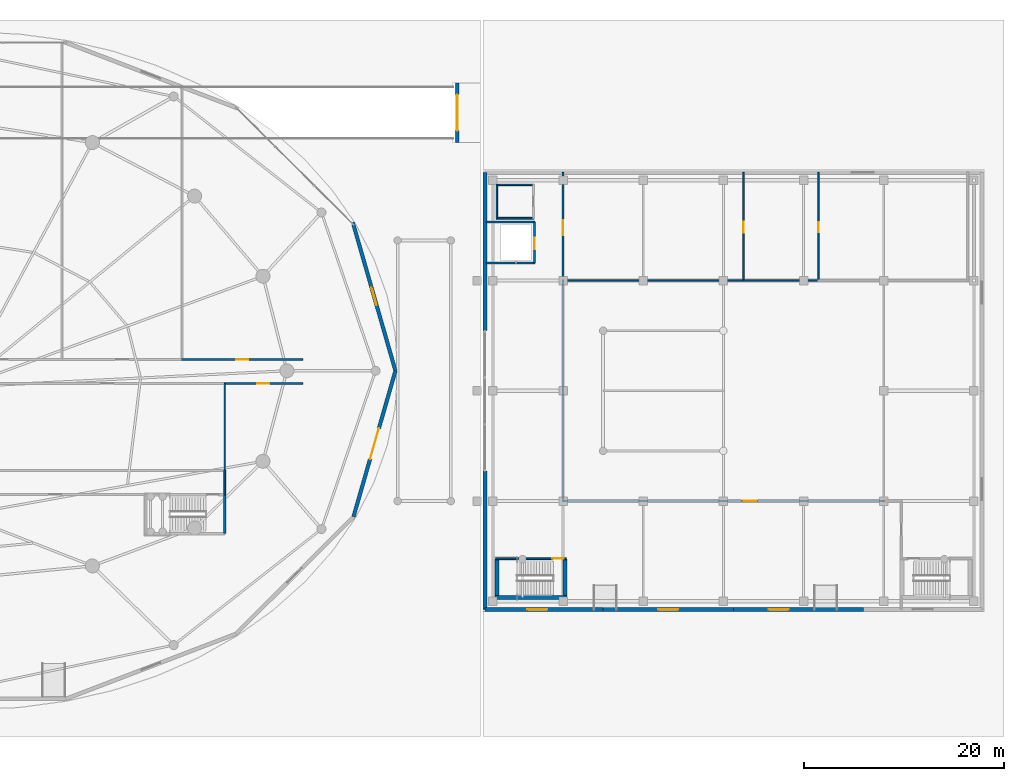
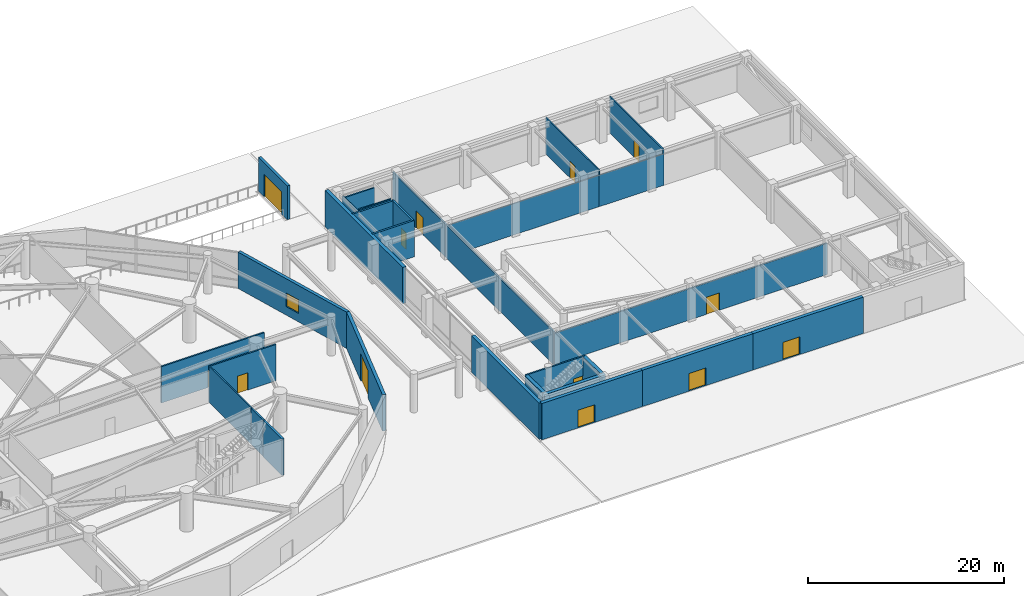
# One storey, part 25 of 35: 30 walls, 13 doors, 1 window, 14 openings.
"""IFC4 building model written with IfcOpenShell, lengths in metres."""

from ifc_helpers import new_model, si_unit, direction, frame, frame_2d, origin, place, context, subcontext, project, spatial, rectangle, extrude, material, layer, layer_set, type_object, element, fill, save


model = new_model("IFC4")

# Units and contexts
model_context = context("Model", 3, precision=1e-05, world=origin(), true_north=direction((0.0, 1.0)))
body_context = subcontext(model_context, "Body", "Model", "MODEL_VIEW")
ifc_project = project(units=[si_unit("LENGTHUNIT", "METRE"), si_unit("AREAUNIT", "SQUARE_METRE"), si_unit("VOLUMEUNIT", "CUBIC_METRE"), si_unit("PLANEANGLEUNIT", "RADIAN"), si_unit("MASSUNIT", "GRAM", prefix="KILO")], contexts=[model_context])

# Site, building, storey
site_placement = place(None, origin())
site = spatial("IfcSite", under=ifc_project, at=site_placement, CompositionType="ELEMENT")
building_placement = place(site_placement, origin())
building = spatial("IfcBuilding", under=site, at=building_placement, Name="Kazevale Care Tower and Concert Hall", CompositionType="ELEMENT")
storey_placement = place(building_placement, origin())
storey = spatial("IfcBuildingStorey", under=building, at=storey_placement, Name="L00", CompositionType="ELEMENT", Elevation=0.0)

# Walls
ifc_material_1 = material(Name="Acoustic Gypsum on Steel Stud", Category="steel")
ifc_layer_1 = layer(ifc_material_1, 0.139892578125)
ifc_layer_set_1 = layer_set([ifc_layer_1], Name="Acoustic Gypsum on Steel Stud")
wall_type_1 = type_object("IfcWallType", Name="Acoustic Care & Suite Partition 140", PredefinedType="PARTITIONING", material=ifc_layer_set_1)
wall_1_placement = place(storey_placement, frame((70.25, 36.7548828125, 0.0), z_axis=(0.0, 0.0, 1.0), x_axis=(0.0, -1.0, 0.0)))
element("IfcWall", 1, at=wall_1_placement, inside=storey, type_object=wall_type_1, Name="wall:L00:auto_025", PredefinedType="PARTITIONING", context=body_context, shape_type="SweptSolid", body=[
    extrude(rectangle(XDim=8.73486328125, YDim=0.139892578125, at=frame_2d((4.367431640625, 0.0))), origin(), (0.0, 0.0, 1.0), 4.52001953125),
])
wall_2_placement = place(storey_placement, frame((103.969970703125, 47.0, 0.0), z_axis=(0.0, 0.0, 1.0), x_axis=(1.0, 0.0, 0.0)))
element("IfcWall", 2, at=wall_2_placement, inside=storey, type_object=wall_type_1, Name="wall:L00:auto_034", PredefinedType="PARTITIONING", context=body_context, shape_type="SweptSolid", body=[
    extrude(rectangle(XDim=18.094970703125, YDim=0.139892578125, at=frame_2d((9.04736328125, 0.0))), origin(), (0.0, 0.0, 1.0), 3.89892578125),
])
wall_3_placement = place(storey_placement, frame((121.93505859375, 47.0, 0.0), z_axis=(0.0, 0.0, 1.0), x_axis=(1.0, 0.0, 0.0)))
element("IfcWall", 3, at=wall_3_placement, inside=storey, type_object=wall_type_1, Name="wall:L00:auto_035", PredefinedType="PARTITIONING", context=body_context, shape_type="SweptSolid", body=[
    extrude(rectangle(XDim=7.6298828125, YDim=0.139892578125, at=frame_2d((3.81494140625, 0.0))), origin(), (0.0, 0.0, 1.0), 3.89892578125),
])

# Wall, opening, door
wall_4_placement = place(storey_placement, frame((122.0, 57.7900390625, 0.0), z_axis=(0.0, 0.0, 1.0), x_axis=(0.0, -1.0, 0.0)))
wall_4 = element("IfcWall", 4, at=wall_4_placement, inside=storey, type_object=wall_type_1, Name="wall:L00:auto_038", PredefinedType="PARTITIONING", context=body_context, shape_type="SweptSolid", body=[
    extrude(rectangle(XDim=10.820068359375, YDim=0.139892578125, at=frame_2d((5.41015625, 0.0))), origin(), (0.0, 0.0, 1.0), 4.52001953125),
])
opening_1_placement = place(wall_4_placement, frame((4.9150390625, 0.0, 0.0)))
opening_1 = element("IfcOpeningElement", 5, at=opening_1_placement, cuts=wall_4, Name="Opening ID-1100", PredefinedType="OPENING", context=body_context, shape_type="SweptSolid", body=[
    extrude(rectangle(XDim=1.10009765625, YDim=2.10009765625, at=frame_2d((0.550048828125, 1.050048828125))), frame((0.0, 0.079833984375, 0.0), z_axis=(0.0, -1.0, 0.0), x_axis=(1.0, 0.0, 0.0)), (0.0, 0.0, 1.0), 0.159912109375),
])
ifc_material_2 = material(Name="Oak Timber Fire Leaf", Category="wood")
door_type_1 = type_object("IfcDoorType", Name="Care Bedroom Accessible Door 1100x2100", OperationType="NOTDEFINED", PredefinedType="DOOR", material=ifc_material_2)
door_1_placement = place(opening_1_placement, origin())
door_1 = element("IfcDoor", 6, at=door_1_placement, inside=storey, type_object=door_type_1, Name="door:L00:ad_038", OperationType="SINGLE_SWING_LEFT", OverallHeight=2.10009765625, OverallWidth=1.10009765625, PredefinedType="DOOR", context=body_context, shape_type="SweptSolid", body=[
    extrude(rectangle(XDim=1.10009765625, YDim=2.10009765625, at=frame_2d((0.550048828125, 1.050048828125))), frame((0.0, 0.02490234375, 0.0), z_axis=(0.0, -1.0, 0.0), x_axis=(1.0, 0.0, 0.0)), (0.0, 0.0, 1.0), 0.050048828125),
])
fill(opening_1, door_1)

wall_5_placement = place(storey_placement, frame((129.5, 57.7900390625, 0.0), z_axis=(0.0, 0.0, 1.0), x_axis=(0.0, -1.0, 0.0)))
wall_5 = element("IfcWall", 7, at=wall_5_placement, inside=storey, type_object=wall_type_1, Name="wall:L00:auto_039", PredefinedType="PARTITIONING", context=body_context, shape_type="SweptSolid", body=[
    extrude(rectangle(XDim=10.820068359375, YDim=0.139892578125, at=frame_2d((5.41015625, 0.0))), origin(), (0.0, 0.0, 1.0), 4.52001953125),
])
opening_2_placement = place(wall_5_placement, frame((4.965087890625, 0.0, 0.0)))
opening_2 = element("IfcOpeningElement", 8, at=opening_2_placement, cuts=wall_5, Name="Opening ID-1000", PredefinedType="OPENING", context=body_context, shape_type="SweptSolid", body=[
    extrude(rectangle(XDim=1.0, YDim=2.10009765625, at=frame_2d((0.5, 1.050048828125))), frame((0.0, 0.079833984375, 0.0), z_axis=(0.0, -1.0, 0.0), x_axis=(1.0, 0.0, 0.0)), (0.0, 0.0, 1.0), 0.159912109375),
])
door_type_2 = type_object("IfcDoorType", Name="Suite & Room Door 1000x2100", OperationType="NOTDEFINED", PredefinedType="DOOR", material=ifc_material_2)
door_2_placement = place(opening_2_placement, origin())
door_2 = element("IfcDoor", 9, at=door_2_placement, inside=storey, type_object=door_type_2, Name="door:L00:ad_039", OperationType="SINGLE_SWING_LEFT", OverallHeight=2.10009765625, OverallWidth=1.0, PredefinedType="DOOR", context=body_context, shape_type="SweptSolid", body=[
    extrude(rectangle(XDim=1.0, YDim=2.10009765625, at=frame_2d((0.5, 1.050048828125))), frame((0.0, 0.02490234375, 0.0), z_axis=(0.0, -1.0, 0.0), x_axis=(1.0, 0.0, 0.0)), (0.0, 0.0, 1.0), 0.050048828125),
])
fill(opening_2, door_2)

ifc_material_3 = material(Name="Concrete C40 with Honed Limestone Cladding", Category="masonry")
ifc_layer_2 = layer(ifc_material_3, 0.39990234375)
ifc_layer_set_2 = layer_set([ifc_layer_2], Name="Concrete C40 with Honed Limestone Cladding")
wall_type_2 = type_object("IfcWallType", Name="Concert Hall Acoustic Limestone Wall 400", PredefinedType="STANDARD", material=ifc_layer_set_2)
wall_6_placement = place(storey_placement, frame((108.0, 14.199951171875, 0.0), z_axis=(0.0, 0.0, 1.0), x_axis=(-1.0, 0.0, 0.0)))
wall_6 = element("IfcWall", 10, at=wall_6_placement, inside=storey, type_object=wall_type_2, Name="wall:L00:hallew:S1", PredefinedType="STANDARD", context=body_context, shape_type="SweptSolid", body=[
    extrude(rectangle(XDim=11.800048828125, YDim=0.39990234375, at=frame_2d((5.89990234375, 0.0))), origin(), (0.0, 0.0, 1.0), 4.52001953125),
])
opening_3_placement = place(wall_6_placement, frame((5.56005859375, 0.0, 0.0)))
opening_3 = element("IfcOpeningElement", 11, at=opening_3_placement, cuts=wall_6, Name="Opening ED-2000", PredefinedType="OPENING", context=body_context, shape_type="SweptSolid", body=[
    extrude(rectangle(XDim=2.0, YDim=2.199951171875, at=frame_2d((1.0, 1.10009765625))), frame((0.0, 0.2099609375, 0.0), z_axis=(0.0, -1.0, 0.0), x_axis=(1.0, 0.0, 0.0)), (0.0, 0.0, 1.0), 0.419921875),
])
ifc_material_4 = material(Name="Aluminium 6063-T6 and Low-E Glass", Category="aluminium")
door_type_3 = type_object("IfcDoorType", Name="Ground Final Exit Double Door 2000x2200", OperationType="NOTDEFINED", PredefinedType="DOOR", material=ifc_material_4)
door_3_placement = place(opening_3_placement, origin())
door_3 = element("IfcDoor", 12, at=door_3_placement, inside=storey, type_object=door_type_3, Name="door:L00:ED-05", OperationType="DOUBLE_DOOR_SINGLE_SWING", OverallHeight=2.199951171875, OverallWidth=2.0, PredefinedType="DOOR", context=body_context, shape_type="SweptSolid", body=[
    extrude(rectangle(XDim=2.0, YDim=2.199951171875, at=frame_2d((1.0, 1.10009765625))), frame((0.0, 0.02490234375, 0.0), z_axis=(0.0, -1.0, 0.0), x_axis=(1.0, 0.0, 0.0)), (0.0, 0.0, 1.0), 0.050048828125),
])
fill(opening_3, door_3)

wall_7_placement = place(storey_placement, frame((121.0, 14.199951171875, 0.0), z_axis=(0.0, 0.0, 1.0), x_axis=(-1.0, 0.0, 0.0)))
wall_7 = element("IfcWall", 13, at=wall_7_placement, inside=storey, type_object=wall_type_2, Name="wall:L00:hallew:S2", PredefinedType="STANDARD", context=body_context, shape_type="SweptSolid", body=[
    extrude(rectangle(XDim=13.0, YDim=0.39990234375, at=frame_2d((6.5, 0.0))), origin(), (0.0, 0.0, 1.0), 4.52001953125),
])
opening_4_placement = place(wall_7_placement, frame((5.5, 0.0, 0.0)))
opening_4 = element("IfcOpeningElement", 14, at=opening_4_placement, cuts=wall_7, Name="Opening ED-2000", PredefinedType="OPENING", context=body_context, shape_type="SweptSolid", body=[
    extrude(rectangle(XDim=2.0, YDim=2.199951171875, at=frame_2d((1.0, 1.10009765625))), frame((0.0, 0.2099609375, 0.0), z_axis=(0.0, -1.0, 0.0), x_axis=(1.0, 0.0, 0.0)), (0.0, 0.0, 1.0), 0.419921875),
])
door_4_placement = place(opening_4_placement, origin())
door_4 = element("IfcDoor", 15, at=door_4_placement, inside=storey, type_object=door_type_3, Name="door:L00:ED-06", OperationType="DOUBLE_DOOR_SINGLE_SWING", OverallHeight=2.199951171875, OverallWidth=2.0, PredefinedType="DOOR", context=body_context, shape_type="SweptSolid", body=[
    extrude(rectangle(XDim=2.0, YDim=2.199951171875, at=frame_2d((1.0, 1.10009765625))), frame((0.0, 0.02490234375, 0.0), z_axis=(0.0, -1.0, 0.0), x_axis=(1.0, 0.0, 0.0)), (0.0, 0.0, 1.0), 0.050048828125),
])
fill(opening_4, door_4)

wall_8_placement = place(storey_placement, frame((134.0, 14.199951171875, 0.0), z_axis=(0.0, 0.0, 1.0), x_axis=(-1.0, 0.0, 0.0)))
wall_8 = element("IfcWall", 16, at=wall_8_placement, inside=storey, type_object=wall_type_2, Name="wall:L00:hallew:S3", PredefinedType="STANDARD", context=body_context, shape_type="SweptSolid", body=[
    extrude(rectangle(XDim=13.0, YDim=0.39990234375, at=frame_2d((6.5, 0.0))), origin(), (0.0, 0.0, 1.0), 4.52001953125),
])
opening_5_placement = place(wall_8_placement, frame((7.47998046875, 0.0, 0.0)))
opening_5 = element("IfcOpeningElement", 17, at=opening_5_placement, cuts=wall_8, Name="Opening ED-2000", PredefinedType="OPENING", context=body_context, shape_type="SweptSolid", body=[
    extrude(rectangle(XDim=2.0, YDim=2.199951171875, at=frame_2d((1.0, 1.10009765625))), frame((0.0, 0.2099609375, 0.0), z_axis=(0.0, -1.0, 0.0), x_axis=(1.0, 0.0, 0.0)), (0.0, 0.0, 1.0), 0.419921875),
])
door_5_placement = place(opening_5_placement, origin())
door_5 = element("IfcDoor", 18, at=door_5_placement, inside=storey, type_object=door_type_3, Name="door:L00:ED-07", OperationType="DOUBLE_DOOR_SINGLE_SWING", OverallHeight=2.199951171875, OverallWidth=2.0, PredefinedType="DOOR", context=body_context, shape_type="SweptSolid", body=[
    extrude(rectangle(XDim=2.0, YDim=2.199951171875, at=frame_2d((1.0, 1.10009765625))), frame((0.0, 0.02490234375, 0.0), z_axis=(0.0, -1.0, 0.0), x_axis=(1.0, 0.0, 0.0)), (0.0, 0.0, 1.0), 0.050048828125),
])
fill(opening_5, door_5)

wall_9_placement = place(storey_placement, frame((93.449951171875, 60.800048828125, 0.0), z_axis=(0.0, 0.0, 1.0), x_axis=(0.0, 1.0, 0.0)))
wall_9 = element("IfcWall", 19, at=wall_9_placement, inside=storey, type_object=wall_type_2, Name="wall:L00:ramp_portal", PredefinedType="STANDARD", context=body_context, shape_type="SweptSolid", body=[
    extrude(rectangle(XDim=5.89990234375, YDim=0.320068359375, at=frame_2d((2.949951171875, 0.0))), origin(), (0.0, 0.0, 1.0), 4.199951171875),
])
opening_6_placement = place(wall_9_placement, frame((1.14990234375, 0.0, 0.0)))
opening_6 = element("IfcOpeningElement", 20, at=opening_6_placement, cuts=wall_9, Name="Opening VD-3600", PredefinedType="OPENING", context=body_context, shape_type="SweptSolid", body=[
    extrude(rectangle(XDim=3.60009765625, YDim=2.800048828125, at=frame_2d((1.800048828125, 1.39990234375))), frame((0.0, 0.169921875, 0.0), z_axis=(0.0, -1.0, 0.0), x_axis=(1.0, 0.0, 0.0)), (0.0, 0.0, 1.0), 0.340087890625),
])
ifc_material_5 = material(Name="Steel ASTM A572 Gr 50", Category="steel")
door_type_4 = type_object("IfcDoorType", Name="Basement Ramp Vehicle Shutter 3600x2800", OperationType="NOTDEFINED", PredefinedType="GATE", material=ifc_material_5)
door_6_placement = place(opening_6_placement, origin())
door_6 = element("IfcDoor", 21, at=door_6_placement, inside=storey, type_object=door_type_4, Name="door:L00:VD-01", OperationType="ROLLINGUP", OverallHeight=2.800048828125, OverallWidth=3.60009765625, PredefinedType="GATE", context=body_context, shape_type="SweptSolid", body=[
    extrude(rectangle(XDim=3.60009765625, YDim=2.800048828125, at=frame_2d((1.800048828125, 1.39990234375))), frame((0.0, 0.02490234375, 0.0), z_axis=(0.0, -1.0, 0.0), x_axis=(1.0, 0.0, 0.0)), (0.0, 0.0, 1.0), 0.050048828125),
])
fill(opening_6, door_6)

# Walls
wall_10_placement = place(storey_placement, frame((96.199951171875, 57.800048828125, 0.0), z_axis=(0.0, 0.0, 1.0), x_axis=(0.0, -1.0, 0.0)))
element("IfcWall", 22, at=wall_10_placement, inside=storey, type_object=wall_type_2, Name="wall:L00:hallew:W1", PredefinedType="STANDARD", context=body_context, shape_type="SweptSolid", body=[
    extrude(rectangle(XDim=15.800048828125, YDim=0.39990234375, at=frame_2d((7.89990234375, 0.0))), origin(), (0.0, 0.0, 1.0), 4.52001953125),
])
wall_11_placement = place(storey_placement, frame((96.199951171875, 28.0, 0.0), z_axis=(0.0, 0.0, 1.0), x_axis=(0.0, -1.0, 0.0)))
element("IfcWall", 23, at=wall_11_placement, inside=storey, type_object=wall_type_2, Name="wall:L00:hallew:W3", PredefinedType="STANDARD", context=body_context, shape_type="SweptSolid", body=[
    extrude(rectangle(XDim=13.800048828125, YDim=0.39990234375, at=frame_2d((6.89990234375, 0.0))), origin(), (0.0, 0.0, 1.0), 4.52001953125),
])
ifc_material_6 = material(Name="Concrete C50", Category="concrete")
ifc_layer_3 = layer(ifc_material_6, 0.39990234375)
ifc_layer_set_3 = layer_set([ifc_layer_3], Name="Concrete C50")
wall_type_3 = type_object("IfcWallType", Name="Concert Hall Shear Core Wall 400 C50", PredefinedType="SHEAR", material=ifc_layer_set_3)
wall_12_placement = place(storey_placement, frame((97.199951171875, 15.39990234375, 0.0), z_axis=(0.0, 0.0, 1.0), x_axis=(1.0, 0.0, 0.0)))
element("IfcWall", 24, at=wall_12_placement, inside=storey, type_object=wall_type_3, Name="wall:L00:ST4:S", PredefinedType="SHEAR", context=body_context, shape_type="SweptSolid", body=[
    extrude(rectangle(XDim=7.199951171875, YDim=0.39990234375, at=frame_2d((3.60009765625, 0.0))), origin(), (0.0, 0.0, 1.0), 4.52001953125),
])
for number, where, z_axis, x_axis, name in (
    (25, (97.39990234375, 15.60009765625, 0.0), (0.0, 0.0, 1.0), (0.0, 1.0, 0.0), "wall:L00:ST4:W"),
    (26, (104.199951171875, 15.60009765625, 0.0), (0.0, 0.0, 1.0), (0.0, 1.0, 0.0), "wall:L00:ST4:E"),
):
    element("IfcWall", number, at=place(storey_placement, frame(where, z_axis=z_axis, x_axis=x_axis)), inside=storey, type_object=wall_type_3, Name=name, PredefinedType="SHEAR", context=body_context, shape_type="SweptSolid", body=[
        extrude(rectangle(XDim=3.599853515625, YDim=0.39990234375, at=frame_2d((1.7998046875, 0.0))), origin(), (0.0, 0.0, 1.0), 4.52001953125),
    ])
ifc_material_7 = material(Name="Concrete C40", Category="concrete")
ifc_layer_4 = layer(ifc_material_7, 0.219970703125)
ifc_layer_set_4 = layer_set([ifc_layer_4], Name="Concrete C40")
wall_type_4 = type_object("IfcWallType", Name="Elevator Hoistway Shaft Wall 220", PredefinedType="SOLIDWALL", material=ifc_layer_set_4)
for number, where, z_axis, x_axis, name in (
    (27, (96.300048828125, 52.85009765625, 0.0), (0.0, 0.0, 1.0), (1.0, 0.0, 0.0), "wall:L00:hall_chl_n"),
    (28, (96.300048828125, 48.75, 0.0), (0.0, 0.0, 1.0), (1.0, 0.0, 0.0), "wall:L00:hall_chl_s"),
):
    element("IfcWall", number, at=place(storey_placement, frame(where, z_axis=z_axis, x_axis=x_axis)), inside=storey, type_object=wall_type_4, Name=name, PredefinedType="SOLIDWALL", context=body_context, shape_type="SweptSolid", body=[
        extrude(rectangle(XDim=4.89990234375, YDim=0.219970703125, at=frame_2d((2.449951171875, 0.0))), origin(), (0.0, 0.0, 1.0), 4.52001953125),
    ])

# Wall, opening, door
wall_13_placement = place(storey_placement, frame((101.14990234375, 48.75, 0.0), z_axis=(0.0, 0.0, 1.0), x_axis=(0.0, 1.0, 0.0)))
wall_13 = element("IfcWall", 29, at=wall_13_placement, inside=storey, type_object=wall_type_4, Name="wall:L00:hall_chl_e", PredefinedType="SOLIDWALL", context=body_context, shape_type="SweptSolid", body=[
    extrude(rectangle(XDim=4.10009765625, YDim=0.219970703125, at=frame_2d((2.050048828125, 0.0))), origin(), (0.0, 0.0, 1.0), 4.52001953125),
])
opening_7_placement = place(wall_13_placement, frame((1.39990234375, 0.0, 0.0)))
opening_7 = element("IfcOpeningElement", 30, at=opening_7_placement, cuts=wall_13, Name="Opening LD-PAX", PredefinedType="OPENING", context=body_context, shape_type="SweptSolid", body=[
    extrude(rectangle(XDim=1.10009765625, YDim=2.10009765625, at=frame_2d((0.550048828125, 1.050048828125))), frame((0.0, 0.119873046875, 0.0), z_axis=(0.0, -1.0, 0.0), x_axis=(1.0, 0.0, 0.0)), (0.0, 0.0, 1.0), 0.239990234375),
])
ifc_material_8 = material(Name="Stainless Steel 316", Category="steel")
door_type_5 = type_object("IfcDoorType", Name="Passenger Lift Sliding Landing Door 1100x2100", OperationType="NOTDEFINED", PredefinedType="DOOR", material=ifc_material_8)
door_7_placement = place(opening_7_placement, origin())
door_7 = element("IfcDoor", 31, at=door_7_placement, inside=storey, type_object=door_type_5, Name="door:L00:ld_chl1", OperationType="SLIDING_TO_LEFT", OverallHeight=2.10009765625, OverallWidth=1.10009765625, PredefinedType="DOOR", context=body_context, shape_type="SweptSolid", body=[
    extrude(rectangle(XDim=1.10009765625, YDim=2.10009765625, at=frame_2d((0.550048828125, 1.050048828125))), frame((0.0, 0.02490234375, 0.0), z_axis=(0.0, -1.0, 0.0), x_axis=(1.0, 0.0, 0.0)), (0.0, 0.0, 1.0), 0.050048828125),
])
fill(opening_7, door_7)

ifc_material_9 = material(Name="Concrete C40 and Acoustic Gypsum", Category="concrete")
ifc_layer_5 = layer(ifc_material_9, 0.179931640625)
ifc_layer_set_5 = layer_set([ifc_layer_5], Name="Concrete C40 and Acoustic Gypsum")
wall_type_5 = type_object("IfcWallType", Name="Fire-Rated Corridor & Party Wall 180", PredefinedType="PARTITIONING", material=ifc_layer_set_5)
wall_14_placement = place(storey_placement, frame((65.93505859375, 39.125, 0.0), z_axis=(0.0, 0.0, 1.0), x_axis=(1.0, 0.0, 0.0)))
wall_14 = element("IfcWall", 32, at=wall_14_placement, inside=storey, type_object=wall_type_5, Name="wall:L00:auto_010", PredefinedType="PARTITIONING", context=body_context, shape_type="SweptSolid", body=[
    extrude(rectangle(XDim=12.094970703125, YDim=0.179931640625, at=frame_2d((6.04736328125, 0.0))), origin(), (0.0, 0.0, 1.0), 4.52001953125),
])
opening_8_placement = place(wall_14_placement, frame((5.447998046875, 0.0, 0.0)))
opening_8 = element("IfcOpeningElement", 33, at=opening_8_placement, cuts=wall_14, Name="Opening ID-1200", PredefinedType="OPENING", context=body_context, shape_type="SweptSolid", body=[
    extrude(rectangle(XDim=1.199951171875, YDim=2.14990234375, at=frame_2d((0.60009765625, 1.074951171875))), frame((0.0, 0.099853515625, 0.0), z_axis=(0.0, -1.0, 0.0), x_axis=(1.0, 0.0, 0.0)), (0.0, 0.0, 1.0), 0.199951171875),
])
door_type_6 = type_object("IfcDoorType", Name="Clinical & Therapy Door 1200x2150", OperationType="NOTDEFINED", PredefinedType="DOOR", material=ifc_material_2)
door_8_placement = place(opening_8_placement, origin())
door_8 = element("IfcDoor", 34, at=door_8_placement, inside=storey, type_object=door_type_6, Name="door:L00:ad_010", OperationType="SINGLE_SWING_LEFT", OverallHeight=2.14990234375, OverallWidth=1.199951171875, PredefinedType="DOOR", context=body_context, shape_type="SweptSolid", body=[
    extrude(rectangle(XDim=1.199951171875, YDim=2.14990234375, at=frame_2d((0.60009765625, 1.074951171875))), frame((0.0, 0.02490234375, 0.0), z_axis=(0.0, -1.0, 0.0), x_axis=(1.0, 0.0, 0.0)), (0.0, 0.0, 1.0), 0.050048828125),
])
fill(opening_8, door_8)

wall_15_placement = place(storey_placement, frame((78.030029296875, 36.72509765625, 0.0), z_axis=(0.0, 0.0, 1.0), x_axis=(-1.0, 0.0, 0.0)))
wall_15 = element("IfcWall", 35, at=wall_15_placement, inside=storey, type_object=wall_type_5, Name="wall:L00:auto_015", PredefinedType="PARTITIONING", context=body_context, shape_type="SweptSolid", body=[
    extrude(rectangle(XDim=7.844970703125, YDim=0.179931640625, at=frame_2d((3.92236328125, 0.0))), origin(), (0.0, 0.0, 1.0), 4.52001953125),
])
opening_9_placement = place(wall_15_placement, frame((3.322021484375, 0.0, 0.0)))
opening_9 = element("IfcOpeningElement", 36, at=opening_9_placement, cuts=wall_15, Name="Opening ID-1200", PredefinedType="OPENING", context=body_context, shape_type="SweptSolid", body=[
    extrude(rectangle(XDim=1.199951171875, YDim=2.14990234375, at=frame_2d((0.60009765625, 1.074951171875))), frame((0.0, 0.099853515625, 0.0), z_axis=(0.0, -1.0, 0.0), x_axis=(1.0, 0.0, 0.0)), (0.0, 0.0, 1.0), 0.199951171875),
])
door_9_placement = place(opening_9_placement, origin())
door_9 = element("IfcDoor", 37, at=door_9_placement, inside=storey, type_object=door_type_6, Name="door:L00:ad_015", OperationType="SINGLE_SWING_LEFT", OverallHeight=2.14990234375, OverallWidth=1.199951171875, PredefinedType="DOOR", context=body_context, shape_type="SweptSolid", body=[
    extrude(rectangle(XDim=1.199951171875, YDim=2.14990234375, at=frame_2d((0.60009765625, 1.074951171875))), frame((0.0, 0.02490234375, 0.0), z_axis=(0.0, -1.0, 0.0), x_axis=(1.0, 0.0, 0.0)), (0.0, 0.0, 1.0), 0.050048828125),
])
fill(opening_9, door_9)

# Wall
wall_16_placement = place(storey_placement, frame((70.25, 28.080078125, 0.0), z_axis=(0.0, 0.0, 1.0), x_axis=(0.0, -1.0, 0.0)))
element("IfcWall", 38, at=wall_16_placement, inside=storey, type_object=wall_type_5, Name="wall:L00:auto_016", PredefinedType="PARTITIONING", context=body_context, shape_type="SweptSolid", body=[
    extrude(rectangle(XDim=2.4599609375, YDim=0.179931640625, at=frame_2d((1.22998046875, 0.0))), origin(), (0.0, 0.0, 1.0), 4.52001953125),
])

# Wall, opening, door
wall_17_placement = place(storey_placement, frame((97.300048828125, 19.25, 0.0), z_axis=(0.0, 0.0, 1.0), x_axis=(1.0, 0.0, 0.0)))
wall_17 = element("IfcWall", 39, at=wall_17_placement, inside=storey, type_object=wall_type_5, Name="wall:L00:hall_st4_n", PredefinedType="PARTITIONING", context=body_context, shape_type="SweptSolid", body=[
    extrude(rectangle(XDim=7.0, YDim=0.179931640625, at=frame_2d((3.5, 0.0))), origin(), (0.0, 0.0, 1.0), 4.52001953125),
])
opening_10_placement = place(wall_17_placement, frame((5.610107421875, 0.0, 0.0)))
opening_10 = element("IfcOpeningElement", 40, at=opening_10_placement, cuts=wall_17, Name="Opening FD-90", PredefinedType="OPENING", context=body_context, shape_type="SweptSolid", body=[
    extrude(rectangle(XDim=1.14990234375, YDim=2.10009765625, at=frame_2d((0.574951171875, 1.050048828125))), frame((0.0, 0.099853515625, 0.0), z_axis=(0.0, -1.0, 0.0), x_axis=(1.0, 0.0, 0.0)), (0.0, 0.0, 1.0), 0.199951171875),
])
door_type_7 = type_object("IfcDoorType", Name="Pressurized Stair & Lobby Fire Door 1150x2100", OperationType="NOTDEFINED", PredefinedType="DOOR", material=ifc_material_5)
door_10_placement = place(opening_10_placement, origin())
door_10 = element("IfcDoor", 41, at=door_10_placement, inside=storey, type_object=door_type_7, Name="door:L00:hst4", OperationType="SINGLE_SWING_RIGHT", OverallHeight=2.10009765625, OverallWidth=1.14990234375, PredefinedType="DOOR", context=body_context, shape_type="SweptSolid", body=[
    extrude(rectangle(XDim=1.14990234375, YDim=2.10009765625, at=frame_2d((0.574951171875, 1.050048828125))), frame((0.0, 0.02490234375, 0.0), z_axis=(0.0, -1.0, 0.0), x_axis=(1.0, 0.0, 0.0)), (0.0, 0.0, 1.0), 0.050048828125),
])
fill(opening_10, door_10)

wall_18_placement = place(storey_placement, frame((103.969970703125, 25.0, 0.0), z_axis=(0.0, 0.0, 1.0), x_axis=(1.0, 0.0, 0.0)))
wall_18 = element("IfcWall", 42, at=wall_18_placement, inside=storey, type_object=wall_type_5, Name="wall:L00:auto_028", PredefinedType="PARTITIONING", context=body_context, shape_type="SweptSolid", body=[
    extrude(rectangle(XDim=32.094970703125, YDim=0.179931640625, at=frame_2d((16.04736328125, 0.0))), origin(), (0.0, 0.0, 1.0), 3.89892578125),
])
opening_11_placement = place(wall_18_placement, frame((17.89697265625, 0.0, 0.0)))
opening_11 = element("IfcOpeningElement", 43, at=opening_11_placement, cuts=wall_18, Name="Opening FD-60D", PredefinedType="OPENING", context=body_context, shape_type="SweptSolid", body=[
    extrude(rectangle(XDim=1.5, YDim=2.14990234375, at=frame_2d((0.75, 1.074951171875))), frame((0.0, 0.099853515625, 0.0), z_axis=(0.0, -1.0, 0.0), x_axis=(1.0, 0.0, 0.0)), (0.0, 0.0, 1.0), 0.199951171875),
])
door_type_8 = type_object("IfcDoorType", Name="Double Lobby & Auditorium Fire Door 1500x2150", OperationType="NOTDEFINED", PredefinedType="DOOR", material=ifc_material_2)
door_11_placement = place(opening_11_placement, origin())
door_11 = element("IfcDoor", 44, at=door_11_placement, inside=storey, type_object=door_type_8, Name="door:L00:ad_028", OperationType="DOUBLE_DOOR_SINGLE_SWING", OverallHeight=2.14990234375, OverallWidth=1.5, PredefinedType="DOOR", context=body_context, shape_type="SweptSolid", body=[
    extrude(rectangle(XDim=1.5, YDim=2.14990234375, at=frame_2d((0.75, 1.074951171875))), frame((0.0, 0.02490234375, 0.0), z_axis=(0.0, -1.0, 0.0), x_axis=(1.0, 0.0, 0.0)), (0.0, 0.0, 1.0), 0.050048828125),
])
fill(opening_11, door_11)

# Wall
wall_19_placement = place(storey_placement, frame((104.0, 47.06494140625, 0.0), z_axis=(0.0, 0.0, 1.0), x_axis=(0.0, -1.0, 0.0)))
element("IfcWall", 45, at=wall_19_placement, inside=storey, type_object=wall_type_5, Name="wall:L00:auto_029", PredefinedType="PARTITIONING", context=body_context, shape_type="SweptSolid", body=[
    extrude(rectangle(XDim=22.094970703125, YDim=0.179931640625, at=frame_2d((11.04736328125, 0.0))), origin(), (0.0, 0.0, 1.0), 4.093017578125),
])

# Wall, opening, door
wall_20_placement = place(storey_placement, frame((104.0, 57.7900390625, 0.0), z_axis=(0.0, 0.0, 1.0), x_axis=(0.0, -1.0, 0.0)))
wall_20 = element("IfcWall", 46, at=wall_20_placement, inside=storey, type_object=wall_type_5, Name="wall:L00:auto_030", PredefinedType="PARTITIONING", context=body_context, shape_type="SweptSolid", body=[
    extrude(rectangle(XDim=10.85498046875, YDim=0.179931640625, at=frame_2d((5.427490234375, 0.0))), origin(), (0.0, 0.0, 1.0), 4.093017578125),
])
opening_12_placement = place(wall_20_placement, frame((4.781982421875, 0.0, 0.0)))
opening_12 = element("IfcOpeningElement", 47, at=opening_12_placement, cuts=wall_20, Name="Opening FD-60D", PredefinedType="OPENING", context=body_context, shape_type="SweptSolid", body=[
    extrude(rectangle(XDim=1.5, YDim=2.14990234375, at=frame_2d((0.75, 1.074951171875))), frame((0.0, 0.099853515625, 0.0), z_axis=(0.0, -1.0, 0.0), x_axis=(1.0, 0.0, 0.0)), (0.0, 0.0, 1.0), 0.199951171875),
])
door_12_placement = place(opening_12_placement, origin())
door_12 = element("IfcDoor", 48, at=door_12_placement, inside=storey, type_object=door_type_8, Name="door:L00:ad_030", OperationType="DOUBLE_DOOR_SINGLE_SWING", OverallHeight=2.14990234375, OverallWidth=1.5, PredefinedType="DOOR", context=body_context, shape_type="SweptSolid", body=[
    extrude(rectangle(XDim=1.5, YDim=2.14990234375, at=frame_2d((0.75, 1.074951171875))), frame((0.0, 0.02490234375, 0.0), z_axis=(0.0, -1.0, 0.0), x_axis=(1.0, 0.0, 0.0)), (0.0, 0.0, 1.0), 0.050048828125),
])
fill(opening_12, door_12)

# Walls
ifc_layer_6 = layer(ifc_material_1, 0.159912109375)
ifc_layer_set_6 = layer_set([ifc_layer_6], Name="Acoustic Gypsum on Steel Stud")
wall_type_6 = type_object("IfcWallType", Name="Moisture-Resistant Bathroom Plumbing Wall 160", PredefinedType="PLUMBINGWALL", material=ifc_layer_set_6)
wall_21_placement = place(storey_placement, frame((97.360107421875, 53.219970703125, 0.0), z_axis=(0.0, 0.0, 1.0), x_axis=(1.0, 0.0, 0.0)))
element("IfcWall", 49, at=wall_21_placement, inside=storey, type_object=wall_type_6, Name="wall:L00:hall_wc_ws", PredefinedType="PLUMBINGWALL", context=body_context, shape_type="SweptSolid", body=[
    extrude(rectangle(XDim=3.72998046875, YDim=0.159912109375, at=frame_2d((1.864990234375, 0.0))), origin(), (0.0, 0.0, 1.0), 4.52001953125),
])
wall_22_placement = place(storey_placement, frame((97.360107421875, 56.550048828125, 0.0), z_axis=(0.0, 0.0, 1.0), x_axis=(1.0, 0.0, 0.0)))
element("IfcWall", 50, at=wall_22_placement, inside=storey, type_object=wall_type_6, Name="wall:L00:hall_wc_wn", PredefinedType="PLUMBINGWALL", context=body_context, shape_type="SweptSolid", body=[
    extrude(rectangle(XDim=3.72998046875, YDim=0.159912109375, at=frame_2d((1.864990234375, 0.0))), origin(), (0.0, 0.0, 1.0), 3.89892578125),
])
wall_23_placement = place(storey_placement, frame((97.39990234375, 53.179931640625, 0.0), z_axis=(0.0, 0.0, 1.0), x_axis=(0.0, 1.0, 0.0)))
element("IfcWall", 51, at=wall_23_placement, inside=storey, type_object=wall_type_6, Name="wall:L00:hall_wc_ww", PredefinedType="PLUMBINGWALL", context=body_context, shape_type="SweptSolid", body=[
    extrude(rectangle(XDim=3.41015625, YDim=0.159912109375, at=frame_2d((1.705078125, 0.0))), origin(), (0.0, 0.0, 1.0), 4.093017578125),
])

# Wall, opening, window
ifc_layer_7 = layer(ifc_material_3, 0.360107421875)
ifc_layer_set_7 = layer_set([ifc_layer_7], Name="Concrete C40 with Honed Limestone Cladding")
wall_type_7 = type_object("IfcWallType", Name="Podium Insulated Limestone Wall 360", PredefinedType="STANDARD", material=ifc_layer_set_7)
wall_24_placement = place(storey_placement, frame((87.280029296875, 38.0, 0.0), z_axis=(0.0, 0.0, 1.0), x_axis=(-0.276203409751, 0.961099202186, 0.0)))
wall_24 = element("IfcWall", 52, at=wall_24_placement, inside=storey, type_object=wall_type_7, Name="wall:L00:podew:01", PredefinedType="STANDARD", context=body_context, shape_type="SweptSolid", body=[
    extrude(rectangle(XDim=15.419921875, YDim=0.360107421875, at=frame_2d((7.7099609375, 0.0))), origin(), (0.0, 0.0, 1.0), 4.52001953125),
])
opening_13_placement = place(wall_24_placement, frame((6.81005859375, 0.0, 1.050048828125)))
opening_13 = element("IfcOpeningElement", 53, at=opening_13_placement, cuts=wall_24, Name="Opening WIN-2", PredefinedType="OPENING", context=body_context, shape_type="SweptSolid", body=[
    extrude(rectangle(XDim=1.800048828125, YDim=1.699951171875, at=frame_2d((0.89990234375, 0.85009765625))), frame((0.0, 0.18994140625, 0.0), z_axis=(0.0, -1.0, 0.0), x_axis=(1.0, 0.0, 0.0)), (0.0, 0.0, 1.0), 0.380126953125),
])
ifc_material_10 = material(Name="Low-E Laminated Glass", Category="glass")
window_type = type_object("IfcWindowType", Name="Clinical Punched Window 1800x1700", PartitioningType="DOUBLE_PANEL_VERTICAL", PredefinedType="WINDOW", material=ifc_material_10)
window_placement = place(opening_13_placement, origin())
window = element("IfcWindow", 54, at=window_placement, inside=storey, type_object=window_type, Name="win:L00:pod:01", OverallHeight=1.699951171875, OverallWidth=1.800048828125, PartitioningType="SINGLE_PANEL", PredefinedType="WINDOW", context=body_context, shape_type="SweptSolid", body=[
    extrude(rectangle(XDim=1.800048828125, YDim=1.699951171875, at=frame_2d((0.89990234375, 0.85009765625))), frame((0.0, 0.030029296875, 0.0), z_axis=(0.0, -1.0, 0.0), x_axis=(1.0, 0.0, 0.0)), (0.0, 0.0, 1.0), 0.06005859375),
])
fill(opening_13, window)

# Wall, opening, door
wall_25_placement = place(storey_placement, frame((83.093017578125, 23.429931640625, 0.0), z_axis=(0.0, 0.0, 1.0), x_axis=(0.276192699339, 0.961102280109, 0.0)))
wall_25 = element("IfcWall", 55, at=wall_25_placement, inside=storey, type_object=wall_type_7, Name="wall:L00:podew:14", PredefinedType="STANDARD", context=body_context, shape_type="SweptSolid", body=[
    extrude(rectangle(XDim=15.15966796875, YDim=0.360107421875, at=frame_2d((7.579833984375, 0.0))), origin(), (0.0, 0.0, 1.0), 4.52001953125),
])
opening_14_placement = place(wall_25_placement, frame((5.97998046875, 0.0, 0.0)))
opening_14 = element("IfcOpeningElement", 56, at=opening_14_placement, cuts=wall_25, Name="Opening SD-3200", PredefinedType="OPENING", context=body_context, shape_type="SweptSolid", body=[
    extrude(rectangle(XDim=3.199951171875, YDim=3.39990234375, at=frame_2d((1.60009765625, 1.699951171875))), frame((0.0, 0.18994140625, 0.0), z_axis=(0.0, -1.0, 0.0), x_axis=(1.0, 0.0, 0.0)), (0.0, 0.0, 1.0), 0.380126953125),
])
door_type_9 = type_object("IfcDoorType", Name="Loading Dock Roller Shutter 3200x3400", OperationType="NOTDEFINED", PredefinedType="GATE", material=ifc_material_5)
door_13_placement = place(opening_14_placement, origin())
door_13 = element("IfcDoor", 57, at=door_13_placement, inside=storey, type_object=door_type_9, Name="door:L00:SD-01", OperationType="ROLLINGUP", OverallHeight=3.39990234375, OverallWidth=3.199951171875, PredefinedType="GATE", context=body_context, shape_type="SweptSolid", body=[
    extrude(rectangle(XDim=3.199951171875, YDim=3.39990234375, at=frame_2d((1.60009765625, 1.699951171875))), frame((0.0, 0.02490234375, 0.0), z_axis=(0.0, -1.0, 0.0), x_axis=(1.0, 0.0, 0.0)), (0.0, 0.0, 1.0), 0.050048828125),
])
fill(opening_14, door_13)

# Wall
ifc_layer_8 = layer(ifc_material_7, 0.25)
ifc_layer_set_8 = layer_set([ifc_layer_8], Name="Concrete C40")
wall_type_8 = type_object("IfcWallType", Name="Pressurized Stair Shaft Wall 250", PredefinedType="SOLIDWALL", material=ifc_layer_set_8)
wall_26_placement = place(storey_placement, frame((70.25, 21.75, 0.0), z_axis=(0.0, 0.0, 1.0), x_axis=(0.0, 1.0, 0.0)))
element("IfcWall", 58, at=wall_26_placement, inside=storey, type_object=wall_type_8, Name="wall:L00:pod_st3_e", PredefinedType="SOLIDWALL", context=body_context, shape_type="SweptSolid", body=[
    extrude(rectangle(XDim=3.89990234375, YDim=0.25, at=frame_2d((1.949951171875, 0.0))), origin(), (0.0, 0.0, 1.0), 4.52001953125),
])

save(model, "model.ifc")
